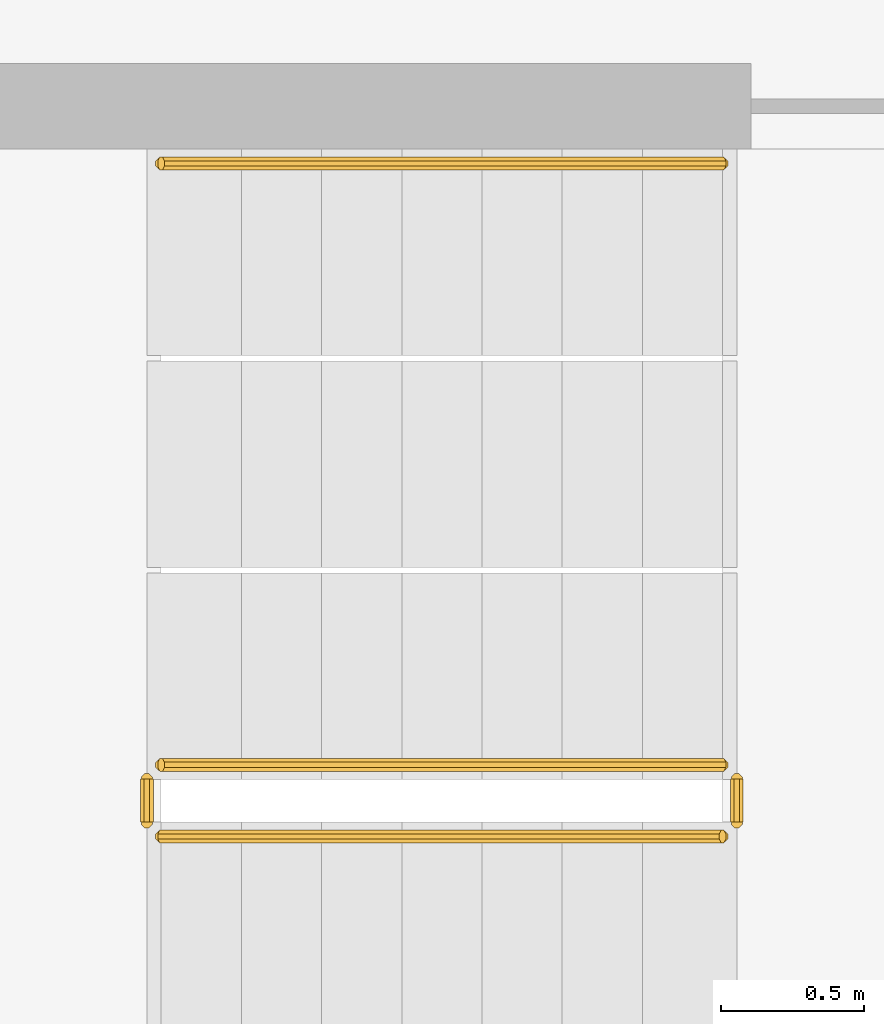
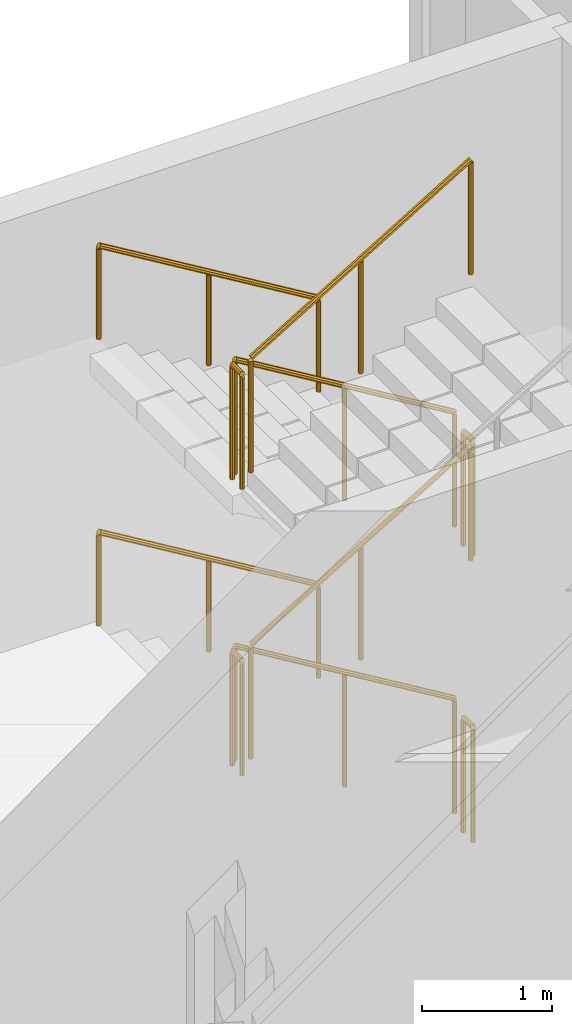
# One storey, part 21 of 31: 10 railings.
"""IFC4 building model written with IfcOpenShell, lengths in metres."""

from ifc_helpers import new_model, si_unit, direction, frame, origin, place, context, subcontext, project, spatial, polyline, outline, extrude, material, type_object, element, save


model = new_model("IFC4")

# Units and contexts
model_context = context("Model", 3, precision=1e-05, world=origin(), true_north=direction((0.0, 1.0)))
body_context = subcontext(model_context, "Body", "Model", "MODEL_VIEW")
ifc_project = project(units=[si_unit("LENGTHUNIT", "METRE"), si_unit("AREAUNIT", "SQUARE_METRE"), si_unit("VOLUMEUNIT", "CUBIC_METRE"), si_unit("PLANEANGLEUNIT", "RADIAN"), si_unit("MASSUNIT", "GRAM", prefix="KILO")], contexts=[model_context])

# Site, building, storey
site_placement = place(None, origin())
site = spatial("IfcSite", under=ifc_project, at=site_placement, CompositionType="ELEMENT")
building_placement = place(site_placement, origin())
building = spatial("IfcBuilding", under=site, at=building_placement, Name="Cormorant Relay Tower", CompositionType="ELEMENT")
storey_placement = place(building_placement, frame((0.0, 0.0, 12.199951171875)))
storey = spatial("IfcBuildingStorey", under=building, at=storey_placement, Name="L02", CompositionType="ELEMENT", Elevation=12.199951171875)

# Railings
ifc_material_1 = material(Name="Steel ASTM A572 Grade 50 (Fy 345 MPa)", Category="steel")
railing_type_1 = type_object("IfcRailingType", Name="Stair guard 1100", PredefinedType="GUARDRAIL", material=ifc_material_1)
railing_1_placement = place(storey_placement, frame((1.60009765625, -18.27490234375, 0.168701171875)))
element("IfcRailing", 1, at=railing_1_placement, inside=storey, type_object=railing_type_1, Name="L02 RK1 stair guard 1", PredefinedType="GUARDRAIL", context=body_context, shape_type="SweptSolid", body=[
    extrude(outline(polyline([(0.022216796875, 0.00927734375), (0.00927734375, 0.022216796875), (-0.00927734375, 0.022216796875), (-0.022216796875, 0.00927734375), (-0.022216796875, -0.00927734375), (-0.00927734375, -0.022216796875), (0.00927734375, -0.022216796875), (0.022216796875, -0.00927734375), (0.022216796875, 0.00927734375)])), frame((0.0, 0.0, 1.076171875), z_axis=(-0.856474724393, 0.0, 0.516188963923), x_axis=(0.0, -1.0, 0.0)), (0.0, 0.0, 1.0), 2.28857421875),
    extrude(outline(polyline([(0.019287109375, 0.008056640625), (0.008056640625, 0.019287109375), (-0.008056640625, 0.019287109375), (-0.019287109375, 0.008056640625), (-0.019287109375, -0.008056640625), (-0.008056640625, -0.019287109375), (0.008056640625, -0.019287109375), (0.019287109375, -0.008056640625), (0.019287109375, 0.008056640625)])), origin(), (0.0, 0.0, 1.0), 1.052001953125),
    extrude(outline(polyline([(0.019287109375, 0.008056640625), (0.008056640625, 0.019287109375), (-0.008056640625, 0.019287109375), (-0.019287109375, 0.008056640625), (-0.019287109375, -0.008056640625), (-0.008056640625, -0.019287109375), (0.008056640625, -0.019287109375), (0.019287109375, -0.008056640625), (0.019287109375, 0.008056640625)])), frame((-0.97998046875, 0.0, 0.5908203125)), (0.0, 0.0, 1.0), 1.052001953125),
    extrude(outline(polyline([(0.019287109375, 0.008056640625), (0.008056640625, 0.019287109375), (-0.008056640625, 0.019287109375), (-0.019287109375, 0.008056640625), (-0.019287109375, -0.008056640625), (-0.008056640625, -0.019287109375), (0.008056640625, -0.019287109375), (0.019287109375, -0.008056640625), (0.019287109375, 0.008056640625)])), frame((-1.960205078125, 0.0, 1.181396484375)), (0.0, 0.0, 1.0), 1.052001953125),
])
railing_2_placement = place(storey_placement, frame((-0.409912109375, -18.324951171875, 1.35009765625)))
element("IfcRailing", 2, at=railing_2_placement, inside=storey, type_object=railing_type_1, Name="L02 RK1 stair guard 2", PredefinedType="GUARDRAIL", context=body_context, shape_type="SweptSolid", body=[
    extrude(outline(polyline([(0.022216796875, 0.00927734375), (0.00927734375, 0.022216796875), (-0.00927734375, 0.022216796875), (-0.022216796875, 0.00927734375), (-0.022216796875, -0.00927734375), (-0.00927734375, -0.022216796875), (0.00927734375, -0.022216796875), (0.022216796875, -0.00927734375), (0.022216796875, 0.00927734375)])), frame((0.0, 0.0, 1.076171875), z_axis=(0.0, -1.0, 0.0), x_axis=(1.0, 0.0, 0.0)), (0.0, 0.0, 1.0), 0.150146484375),
    extrude(outline(polyline([(0.019287109375, 0.008056640625), (0.008056640625, 0.019287109375), (-0.008056640625, 0.019287109375), (-0.019287109375, 0.008056640625), (-0.019287109375, -0.008056640625), (-0.008056640625, -0.019287109375), (0.008056640625, -0.019287109375), (0.019287109375, -0.008056640625), (0.019287109375, 0.008056640625)])), origin(), (0.0, 0.0, 1.0), 1.052001953125),
    extrude(outline(polyline([(0.019287109375, 0.008056640625), (0.008056640625, 0.019287109375), (-0.008056640625, 0.019287109375), (-0.019287109375, 0.008056640625), (-0.019287109375, -0.008056640625), (-0.008056640625, -0.019287109375), (0.008056640625, -0.019287109375), (0.019287109375, -0.008056640625), (0.019287109375, 0.008056640625)])), frame((0.0, -0.150146484375, 0.0)), (0.0, 0.0, 1.0), 1.052001953125),
])
railing_3_placement = place(storey_placement, frame((-0.360107421875, -18.52490234375, 1.518798828125)))
element("IfcRailing", 3, at=railing_3_placement, inside=storey, type_object=railing_type_1, Name="L02 RK1 stair guard 3", PredefinedType="GUARDRAIL", context=body_context, shape_type="SweptSolid", body=[
    extrude(outline(polyline([(0.022216796875, 0.00927734375), (0.00927734375, 0.022216796875), (-0.00927734375, 0.022216796875), (-0.022216796875, 0.00927734375), (-0.022216796875, -0.00927734375), (-0.00927734375, -0.022216796875), (0.00927734375, -0.022216796875), (0.022216796875, -0.00927734375), (0.022216796875, 0.00927734375)])), frame((0.0, 0.0, 1.076171875), z_axis=(0.856521883693, 0.0, 0.516110707847), x_axis=(0.0, 1.0, 0.0)), (0.0, 0.0, 1.0), 2.28857421875),
    extrude(outline(polyline([(0.019287109375, 0.008056640625), (0.008056640625, 0.019287109375), (-0.008056640625, 0.019287109375), (-0.019287109375, 0.008056640625), (-0.019287109375, -0.008056640625), (-0.008056640625, -0.019287109375), (0.008056640625, -0.019287109375), (0.019287109375, -0.008056640625), (0.019287109375, 0.008056640625)])), origin(), (0.0, 0.0, 1.0), 1.052001953125),
    extrude(outline(polyline([(0.019287109375, 0.008056640625), (0.008056640625, 0.019287109375), (-0.008056640625, 0.019287109375), (-0.019287109375, 0.008056640625), (-0.019287109375, -0.008056640625), (-0.008056640625, -0.019287109375), (0.008056640625, -0.019287109375), (0.019287109375, -0.008056640625), (0.019287109375, 0.008056640625)])), frame((0.97998046875, 0.0, 0.590576171875)), (0.0, 0.0, 1.0), 1.052001953125),
    extrude(outline(polyline([(0.019287109375, 0.008056640625), (0.008056640625, 0.019287109375), (-0.008056640625, 0.019287109375), (-0.019287109375, 0.008056640625), (-0.019287109375, -0.008056640625), (-0.008056640625, -0.019287109375), (0.008056640625, -0.019287109375), (0.019287109375, -0.008056640625), (0.019287109375, 0.008056640625)])), frame((1.960205078125, 0.0, 1.18115234375)), (0.0, 0.0, 1.0), 1.052001953125),
])
railing_4_placement = place(storey_placement, frame((1.64990234375, -18.324951171875, 2.699951171875)))
element("IfcRailing", 4, at=railing_4_placement, inside=storey, type_object=railing_type_1, Name="L02 RK1 stair guard 4", PredefinedType="GUARDRAIL", context=body_context, shape_type="SweptSolid", body=[
    extrude(outline(polyline([(0.022216796875, 0.00927734375), (0.00927734375, 0.022216796875), (-0.00927734375, 0.022216796875), (-0.022216796875, 0.00927734375), (-0.022216796875, -0.00927734375), (-0.00927734375, -0.022216796875), (0.00927734375, -0.022216796875), (0.022216796875, -0.00927734375), (0.022216796875, 0.00927734375)])), frame((0.0, 0.0, 1.076171875), z_axis=(0.0, -1.0, 0.0), x_axis=(1.0, 0.0, 0.0)), (0.0, 0.0, 1.0), 0.150146484375),
    extrude(outline(polyline([(0.019287109375, 0.008056640625), (0.008056640625, 0.019287109375), (-0.008056640625, 0.019287109375), (-0.019287109375, 0.008056640625), (-0.019287109375, -0.008056640625), (-0.008056640625, -0.019287109375), (0.008056640625, -0.019287109375), (0.019287109375, -0.008056640625), (0.019287109375, 0.008056640625)])), origin(), (0.0, 0.0, 1.0), 1.052001953125),
    extrude(outline(polyline([(0.019287109375, 0.008056640625), (0.008056640625, 0.019287109375), (-0.008056640625, 0.019287109375), (-0.019287109375, 0.008056640625), (-0.019287109375, -0.008056640625), (-0.008056640625, -0.019287109375), (0.008056640625, -0.019287109375), (0.019287109375, -0.008056640625), (0.019287109375, 0.008056640625)])), frame((0.0, -0.150146484375, 0.0)), (0.0, 0.0, 1.0), 1.052001953125),
])
railing_5_placement = place(storey_placement, frame((1.60009765625, -18.27490234375, 2.868896484375)))
element("IfcRailing", 5, at=railing_5_placement, inside=storey, type_object=railing_type_1, Name="L02 RK1 stair guard 5", PredefinedType="GUARDRAIL", context=body_context, shape_type="SweptSolid", body=[
    extrude(outline(polyline([(0.022216796875, 0.00927734375), (0.00927734375, 0.022216796875), (-0.00927734375, 0.022216796875), (-0.022216796875, 0.00927734375), (-0.022216796875, -0.00927734375), (-0.00927734375, -0.022216796875), (0.00927734375, -0.022216796875), (0.022216796875, -0.00927734375), (0.022216796875, 0.00927734375)])), frame((0.0, 0.0, 1.076171875), z_axis=(-0.856521883693, 0.0, 0.516110707847), x_axis=(0.0, -1.0, 0.0)), (0.0, 0.0, 1.0), 2.28857421875),
    extrude(outline(polyline([(0.019287109375, 0.008056640625), (0.008056640625, 0.019287109375), (-0.008056640625, 0.019287109375), (-0.019287109375, 0.008056640625), (-0.019287109375, -0.008056640625), (-0.008056640625, -0.019287109375), (0.008056640625, -0.019287109375), (0.019287109375, -0.008056640625), (0.019287109375, 0.008056640625)])), origin(), (0.0, 0.0, 1.0), 1.052001953125),
    extrude(outline(polyline([(0.019287109375, 0.008056640625), (0.008056640625, 0.019287109375), (-0.008056640625, 0.019287109375), (-0.019287109375, 0.008056640625), (-0.019287109375, -0.008056640625), (-0.008056640625, -0.019287109375), (0.008056640625, -0.019287109375), (0.019287109375, -0.008056640625), (0.019287109375, 0.008056640625)])), frame((-0.97998046875, 0.0, 0.590576171875)), (0.0, 0.0, 1.0), 1.052001953125),
    extrude(outline(polyline([(0.019287109375, 0.008056640625), (0.008056640625, 0.019287109375), (-0.008056640625, 0.019287109375), (-0.019287109375, 0.008056640625), (-0.019287109375, -0.008056640625), (-0.008056640625, -0.019287109375), (0.008056640625, -0.019287109375), (0.019287109375, -0.008056640625), (0.019287109375, 0.008056640625)])), frame((-1.960205078125, 0.0, 1.18115234375)), (0.0, 0.0, 1.0), 1.052001953125),
])
railing_6_placement = place(storey_placement, frame((-0.409912109375, -18.324951171875, 4.050048828125)))
element("IfcRailing", 6, at=railing_6_placement, inside=storey, type_object=railing_type_1, Name="L02 RK1 stair guard 6", PredefinedType="GUARDRAIL", context=body_context, shape_type="SweptSolid", body=[
    extrude(outline(polyline([(0.022216796875, 0.00927734375), (0.00927734375, 0.022216796875), (-0.00927734375, 0.022216796875), (-0.022216796875, 0.00927734375), (-0.022216796875, -0.00927734375), (-0.00927734375, -0.022216796875), (0.00927734375, -0.022216796875), (0.022216796875, -0.00927734375), (0.022216796875, 0.00927734375)])), frame((0.0, 0.0, 1.076171875), z_axis=(0.0, -1.0, 0.0), x_axis=(1.0, 0.0, 0.0)), (0.0, 0.0, 1.0), 0.150146484375),
    extrude(outline(polyline([(0.019287109375, 0.008056640625), (0.008056640625, 0.019287109375), (-0.008056640625, 0.019287109375), (-0.019287109375, 0.008056640625), (-0.019287109375, -0.008056640625), (-0.008056640625, -0.019287109375), (0.008056640625, -0.019287109375), (0.019287109375, -0.008056640625), (0.019287109375, 0.008056640625)])), origin(), (0.0, 0.0, 1.0), 1.052001953125),
    extrude(outline(polyline([(0.019287109375, 0.008056640625), (0.008056640625, 0.019287109375), (-0.008056640625, 0.019287109375), (-0.019287109375, 0.008056640625), (-0.019287109375, -0.008056640625), (-0.008056640625, -0.019287109375), (0.008056640625, -0.019287109375), (0.019287109375, -0.008056640625), (0.019287109375, 0.008056640625)])), frame((0.0, -0.150146484375, 0.0)), (0.0, 0.0, 1.0), 1.052001953125),
])
railing_7_placement = place(storey_placement, frame((-0.360107421875, -18.52490234375, 4.21875)))
element("IfcRailing", 7, at=railing_7_placement, inside=storey, type_object=railing_type_1, Name="L02 RK1 stair guard 7", PredefinedType="GUARDRAIL", context=body_context, shape_type="SweptSolid", body=[
    extrude(outline(polyline([(0.022216796875, 0.00927734375), (0.00927734375, 0.022216796875), (-0.00927734375, 0.022216796875), (-0.022216796875, 0.00927734375), (-0.022216796875, -0.00927734375), (-0.00927734375, -0.022216796875), (0.00927734375, -0.022216796875), (0.022216796875, -0.00927734375), (0.022216796875, 0.00927734375)])), frame((0.0, 0.0, 1.076171875), z_axis=(0.856474724393, 0.0, 0.516188963923), x_axis=(0.0, 1.0, 0.0)), (0.0, 0.0, 1.0), 2.28857421875),
    extrude(outline(polyline([(0.019287109375, 0.008056640625), (0.008056640625, 0.019287109375), (-0.008056640625, 0.019287109375), (-0.019287109375, 0.008056640625), (-0.019287109375, -0.008056640625), (-0.008056640625, -0.019287109375), (0.008056640625, -0.019287109375), (0.019287109375, -0.008056640625), (0.019287109375, 0.008056640625)])), origin(), (0.0, 0.0, 1.0), 1.052001953125),
    extrude(outline(polyline([(0.019287109375, 0.008056640625), (0.008056640625, 0.019287109375), (-0.008056640625, 0.019287109375), (-0.019287109375, 0.008056640625), (-0.019287109375, -0.008056640625), (-0.008056640625, -0.019287109375), (0.008056640625, -0.019287109375), (0.019287109375, -0.008056640625), (0.019287109375, 0.008056640625)])), frame((0.97998046875, 0.0, 0.5908203125)), (0.0, 0.0, 1.0), 1.052001953125),
    extrude(outline(polyline([(0.019287109375, 0.008056640625), (0.008056640625, 0.019287109375), (-0.008056640625, 0.019287109375), (-0.019287109375, 0.008056640625), (-0.019287109375, -0.008056640625), (-0.008056640625, -0.019287109375), (0.008056640625, -0.019287109375), (0.019287109375, -0.008056640625), (0.019287109375, 0.008056640625)])), frame((1.960205078125, 0.0, 1.181396484375)), (0.0, 0.0, 1.0), 1.052001953125),
])
railing_8_placement = place(storey_placement, frame((1.64990234375, -18.324951171875, 0.0)))
element("IfcRailing", 8, at=railing_8_placement, inside=storey, type_object=railing_type_1, Name="L02 RK1 stair guard 8", PredefinedType="GUARDRAIL", context=body_context, shape_type="SweptSolid", body=[
    extrude(outline(polyline([(0.022216796875, 0.00927734375), (0.00927734375, 0.022216796875), (-0.00927734375, 0.022216796875), (-0.022216796875, 0.00927734375), (-0.022216796875, -0.00927734375), (-0.00927734375, -0.022216796875), (0.00927734375, -0.022216796875), (0.022216796875, -0.00927734375), (0.022216796875, 0.00927734375)])), frame((0.0, 0.0, 1.076171875), z_axis=(0.0, -1.0, 0.0), x_axis=(1.0, 0.0, 0.0)), (0.0, 0.0, 1.0), 0.150146484375),
    extrude(outline(polyline([(0.019287109375, 0.008056640625), (0.008056640625, 0.019287109375), (-0.008056640625, 0.019287109375), (-0.019287109375, 0.008056640625), (-0.019287109375, -0.008056640625), (-0.008056640625, -0.019287109375), (0.008056640625, -0.019287109375), (0.019287109375, -0.008056640625), (0.019287109375, 0.008056640625)])), origin(), (0.0, 0.0, 1.0), 1.052001953125),
    extrude(outline(polyline([(0.019287109375, 0.008056640625), (0.008056640625, 0.019287109375), (-0.008056640625, 0.019287109375), (-0.019287109375, 0.008056640625), (-0.019287109375, -0.008056640625), (-0.008056640625, -0.019287109375), (0.008056640625, -0.019287109375), (0.019287109375, -0.008056640625), (0.019287109375, 0.008056640625)])), frame((0.0, -0.150146484375, 0.0)), (0.0, 0.0, 1.0), 1.052001953125),
])
ifc_material_2 = material(Name="Steel ASTM A572 Grade 50 (Fy 345 MPa)", Category="steel")
railing_type_2 = type_object("IfcRailingType", Name="Stair handrail 900", PredefinedType="HANDRAIL", material=ifc_material_2)
railing_9_placement = place(storey_placement, frame((1.60009765625, -16.175048828125, 0.168701171875)))
element("IfcRailing", 9, at=railing_9_placement, inside=storey, type_object=railing_type_2, Name="L02 RK1 stair handrail 1", PredefinedType="HANDRAIL", context=body_context, shape_type="SweptSolid", body=[
    extrude(outline(polyline([(0.022216796875, 0.00927734375), (0.00927734375, 0.022216796875), (-0.00927734375, 0.022216796875), (-0.022216796875, 0.00927734375), (-0.022216796875, -0.00927734375), (-0.00927734375, -0.022216796875), (0.00927734375, -0.022216796875), (0.022216796875, -0.00927734375), (0.022216796875, 0.00927734375)])), frame((0.0, 0.0, 0.8759765625), z_axis=(-0.856474724393, 0.0, 0.516188963923), x_axis=(0.0, -1.0, 0.0)), (0.0, 0.0, 1.0), 2.28857421875),
    extrude(outline(polyline([(0.019287109375, 0.008056640625), (0.008056640625, 0.019287109375), (-0.008056640625, 0.019287109375), (-0.019287109375, 0.008056640625), (-0.019287109375, -0.008056640625), (-0.008056640625, -0.019287109375), (0.008056640625, -0.019287109375), (0.019287109375, -0.008056640625), (0.019287109375, 0.008056640625)])), origin(), (0.0, 0.0, 1.0), 0.851806640625),
    extrude(outline(polyline([(0.019287109375, 0.008056640625), (0.008056640625, 0.019287109375), (-0.008056640625, 0.019287109375), (-0.019287109375, 0.008056640625), (-0.019287109375, -0.008056640625), (-0.008056640625, -0.019287109375), (0.008056640625, -0.019287109375), (0.019287109375, -0.008056640625), (0.019287109375, 0.008056640625)])), frame((-0.97998046875, 0.0, 0.5908203125)), (0.0, 0.0, 1.0), 0.851806640625),
    extrude(outline(polyline([(0.019287109375, 0.008056640625), (0.008056640625, 0.019287109375), (-0.008056640625, 0.019287109375), (-0.019287109375, 0.008056640625), (-0.019287109375, -0.008056640625), (-0.008056640625, -0.019287109375), (0.008056640625, -0.019287109375), (0.019287109375, -0.008056640625), (0.019287109375, 0.008056640625)])), frame((-1.960205078125, 0.0, 1.181396484375)), (0.0, 0.0, 1.0), 0.851806640625),
])
railing_10_placement = place(storey_placement, frame((1.60009765625, -16.175048828125, 2.868896484375)))
element("IfcRailing", 10, at=railing_10_placement, inside=storey, type_object=railing_type_2, Name="L02 RK1 stair handrail 3", PredefinedType="HANDRAIL", context=body_context, shape_type="SweptSolid", body=[
    extrude(outline(polyline([(0.022216796875, 0.00927734375), (0.00927734375, 0.022216796875), (-0.00927734375, 0.022216796875), (-0.022216796875, 0.00927734375), (-0.022216796875, -0.00927734375), (-0.00927734375, -0.022216796875), (0.00927734375, -0.022216796875), (0.022216796875, -0.00927734375), (0.022216796875, 0.00927734375)])), frame((0.0, 0.0, 0.8759765625), z_axis=(-0.856521883693, 0.0, 0.516110707847), x_axis=(0.0, -1.0, 0.0)), (0.0, 0.0, 1.0), 2.28857421875),
    extrude(outline(polyline([(0.019287109375, 0.008056640625), (0.008056640625, 0.019287109375), (-0.008056640625, 0.019287109375), (-0.019287109375, 0.008056640625), (-0.019287109375, -0.008056640625), (-0.008056640625, -0.019287109375), (0.008056640625, -0.019287109375), (0.019287109375, -0.008056640625), (0.019287109375, 0.008056640625)])), origin(), (0.0, 0.0, 1.0), 0.851806640625),
    extrude(outline(polyline([(0.019287109375, 0.008056640625), (0.008056640625, 0.019287109375), (-0.008056640625, 0.019287109375), (-0.019287109375, 0.008056640625), (-0.019287109375, -0.008056640625), (-0.008056640625, -0.019287109375), (0.008056640625, -0.019287109375), (0.019287109375, -0.008056640625), (0.019287109375, 0.008056640625)])), frame((-0.97998046875, 0.0, 0.590576171875)), (0.0, 0.0, 1.0), 0.851806640625),
    extrude(outline(polyline([(0.019287109375, 0.008056640625), (0.008056640625, 0.019287109375), (-0.008056640625, 0.019287109375), (-0.019287109375, 0.008056640625), (-0.019287109375, -0.008056640625), (-0.008056640625, -0.019287109375), (0.008056640625, -0.019287109375), (0.019287109375, -0.008056640625), (0.019287109375, 0.008056640625)])), frame((-1.960205078125, 0.0, 1.18115234375)), (0.0, 0.0, 1.0), 0.851806640625),
])

save(model, "model.ifc")
